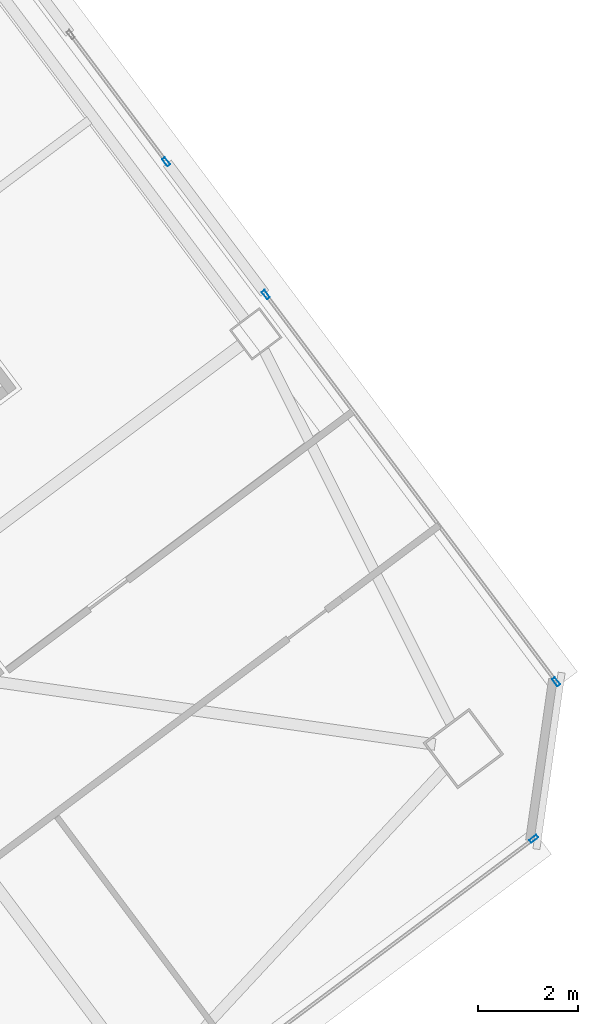
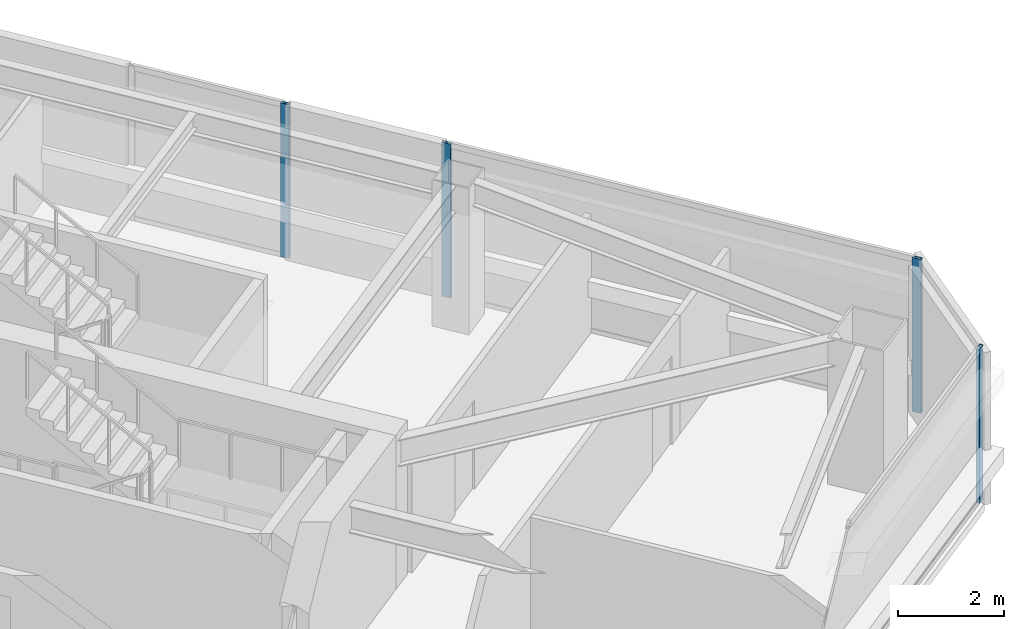
# One storey, part 26 of 43: 4 members, 3 elements without a shape of their own.
"""IFC4 building model written with IfcOpenShell, lengths in metres."""

import ifcopenshell
import ifcopenshell.guid

model = None  # the IFC model being written
_history = None  # IfcOwnerHistory: only IFC2X3 demands one
_inside = {}  # id of a spatial element -> (the spatial element, [elements in it])
_under = {}  # id of a project, library or spatial element -> (it, [spatial elements below it])
_declared = {}  # id of a project -> (the project, [libraries it declares])
_typed = {}  # id of a type object -> (the type object, [elements of that type])
_made_of = {}  # id of a material, layer set ... -> (it, [elements and type objects made of it])


def new_model(schema):
    """Start an empty IFC model of exactly this schema.

    Asked for "IFC4X3", IfcOpenShell would pick the latest addendum, in which some entities
    have other attributes; the version numbers below select the first issue.
    IFC2X3 requires an IfcOwnerHistory on every rooted entity: one is made here for all.
    """
    global model, _history
    if schema == "IFC4X3":
        model = ifcopenshell.file(schema_version=(4, 3, 0, 0))
    else:
        model = ifcopenshell.file(schema=schema)
    _inside.clear()
    _under.clear()
    _declared.clear()
    _typed.clear()
    _made_of.clear()
    _history = None
    if model.schema == "IFC2X3":
        org = make("IfcOrganization", Name="unknown")
        user = make(
            "IfcPersonAndOrganization",
            ThePerson=make("IfcPerson", FamilyName="unknown"),
            TheOrganization=org,
        )
        app = make(
            "IfcApplication",
            ApplicationDeveloper=org,
            Version="unknown",
            ApplicationFullName="unknown",
            ApplicationIdentifier="unknown",
        )
        _history = make(
            "IfcOwnerHistory",
            OwningUser=user,
            OwningApplication=app,
            ChangeAction="ADDED",
            CreationDate=0,
        )
    return model


def make(cls, **values):
    """One entity of the class cls with the attributes given. An attribute that is None is left unset."""
    return model.create_entity(
        cls, **{name: value for name, value in values.items() if value is not None}
    )


def rooted(cls, **values):
    """An entity with a GlobalId (a new one), such as an element, a storey or a relation."""
    return make(cls, GlobalId=ifcopenshell.guid.new(), OwnerHistory=_history, **values)


def si_unit(unit_type, name, prefix=None):
    """IfcSIUnit, for example si_unit("LENGTHUNIT", "METRE", prefix="MILLI")."""
    return make("IfcSIUnit", UnitType=unit_type, Prefix=prefix, Name=name)


def assignment(units):
    """IfcUnitAssignment: the units of a project."""
    return None if units is None else make("IfcUnitAssignment", Units=units)


def point(xyz):
    """IfcCartesianPoint."""
    return None if xyz is None else make("IfcCartesianPoint", Coordinates=xyz)


def direction(xyz):
    """IfcDirection."""
    return None if xyz is None else make("IfcDirection", DirectionRatios=xyz)


def frame(location, z_axis=None, x_axis=None):
    """IfcAxis2Placement3D, a coordinate frame: its origin and axes. An axis left out is left unset."""
    return make(
        "IfcAxis2Placement3D",
        Location=point(location),
        Axis=direction(z_axis),
        RefDirection=direction(x_axis),
    )


def frame_2d(location, x_axis=None):
    """IfcAxis2Placement2D, a coordinate frame in the plane: its origin and x axis."""
    return make(
        "IfcAxis2Placement2D", Location=point(location), RefDirection=direction(x_axis)
    )


def origin():
    """The frame at (0, 0, 0) with its axes left unset."""
    return frame((0.0, 0.0, 0.0))


def origin_2d():
    """The frame at (0, 0) in the plane with its x axis left unset."""
    return frame_2d((0.0, 0.0))


def place(relative_to, where):
    """IfcLocalPlacement: puts the frame where relative to a parent placement (None: the world)."""
    return make(
        "IfcLocalPlacement", PlacementRelTo=relative_to, RelativePlacement=where
    )


def context(
    kind, dimensions, precision=None, world=None, true_north=None, identifier=None
):
    """IfcGeometricRepresentationContext, for example the 3D "Model" context."""
    return make(
        "IfcGeometricRepresentationContext",
        ContextIdentifier=identifier,
        ContextType=kind,
        CoordinateSpaceDimension=dimensions,
        Precision=precision,
        WorldCoordinateSystem=world,
        TrueNorth=true_north,
    )


def subcontext(parent, identifier, kind, view, scale=None):
    """IfcGeometricRepresentationSubContext, for example "Body" below "Model"."""
    return make(
        "IfcGeometricRepresentationSubContext",
        ContextIdentifier=identifier,
        ContextType=kind,
        ParentContext=parent,
        TargetScale=scale,
        TargetView=view,
    )


def project(units=None, contexts=None):
    """IfcProject with its units and contexts."""
    return rooted(
        "IfcProject",
        Name="project",
        RepresentationContexts=contexts,
        UnitsInContext=assignment(units),
    )


def spatial(cls, under=None, at=None, **own):
    """A site, building, storey or space (cls), placed at a placement, below another one or the project."""
    s = rooted(cls, ObjectPlacement=at, **own)
    if under is not None:
        _under.setdefault(under.id(), (under, []))[1].append(s)
    return s


def profile(cls, at=None, kind="AREA", **sizes):
    """A parametric profile (cls). Its sizes go by their IFC names, for example OverallWidth=200.0."""
    return make(cls, ProfileType=kind, Position=at, **sizes)


def hollow_rectangle(**sizes):
    """IfcRectangleHollowProfileDef."""
    return profile("IfcRectangleHollowProfileDef", **sizes)


def extrude(swept, where, along, depth):
    """IfcExtrudedAreaSolid: the profile swept, set in the frame where, extruded along a direction by depth."""
    return make(
        "IfcExtrudedAreaSolid",
        SweptArea=swept,
        Position=where,
        ExtrudedDirection=direction(along),
        Depth=depth,
    )


def shape(context_of_items, identifier, shape_type, items):
    """IfcShapeRepresentation: the items that make up one representation, for example the "Body"."""
    return make(
        "IfcShapeRepresentation",
        ContextOfItems=context_of_items,
        RepresentationIdentifier=identifier,
        RepresentationType=shape_type,
        Items=items,
    )


def material(Name=None, Category=None):
    """IfcMaterial."""
    return make("IfcMaterial", Name=Name, Category=Category)


def material_profile(
    of_material, cross_section, Name=None, Category=None, Priority=None
):
    """IfcMaterialProfile: a cross section and its material."""
    return make(
        "IfcMaterialProfile",
        Name=Name,
        Material=of_material,
        Profile=cross_section,
        Priority=Priority,
        Category=Category,
    )


def profile_set(profiles, Name=None, composite=None):
    """IfcMaterialProfileSet."""
    return make(
        "IfcMaterialProfileSet",
        Name=Name,
        MaterialProfiles=profiles,
        CompositeProfile=composite,
    )


def made_of(thing, what):
    """Note that an element or type object is made of a material, layer set ...; save() writes the relation."""
    if what is not None:
        _made_of.setdefault(what.id(), (what, []))[1].append(thing)
    return thing


def type_object(cls, material=None, **own):
    """A type object (cls), such as IfcWallType, which elements share."""
    return made_of(rooted(cls, **own), material)


def element(
    cls,
    number,
    at=None,
    inside=None,
    cuts=None,
    type_object=None,
    material=None,
    context=None,
    identifier="Body",
    shape_type=None,
    held_by="IfcProductDefinitionShape",
    body=None,
    shapes=None,
    **own,
):
    """One element of the class cls, such as IfcWall. Its Tag is "e" and its number.

    at: its placement. inside: the storey or other place that contains it. cuts: it is an
    opening in that element (IfcRelVoidsElement). A single representation is given by context,
    identifier, shape_type and body (its items); several are given by shapes. held_by: the class
    of the entity that holds the representations. save() writes the other relations.
    """
    e = rooted(cls, Tag="e%d" % number, ObjectPlacement=at, **own)
    if body is not None:
        shapes = [shape(context, identifier, shape_type, body)]
    if shapes is not None:
        e.Representation = make(held_by, Representations=shapes)
    if inside is not None:
        _inside.setdefault(inside.id(), (inside, []))[1].append(e)
    if cuts is not None:
        rooted(
            "IfcRelVoidsElement", RelatingBuildingElement=cuts, RelatedOpeningElement=e
        )
    if type_object is not None:
        _typed.setdefault(type_object.id(), (type_object, []))[1].append(e)
    return made_of(e, material)


def aggregate(whole, parts):
    """IfcRelAggregates: a whole, such as a stair, and the parts it consists of."""
    return rooted("IfcRelAggregates", RelatingObject=whole, RelatedObjects=parts)


def save(model, path):
    """Write the relations noted so far, then the file.

    IfcRelAggregates (storeys below a building ...), IfcRelContainedInSpatialStructure (elements
    in a storey), IfcRelDefinesByType, IfcRelAssociatesMaterial and IfcRelDeclares: one each for
    every whole, place, type object, material and project.
    """
    for whole, parts in _under.values():
        aggregate(whole, parts)
    for where, things in _inside.values():
        rooted(
            "IfcRelContainedInSpatialStructure",
            RelatedElements=things,
            RelatingStructure=where,
        )
    for kind, things in _typed.values():
        rooted("IfcRelDefinesByType", RelatedObjects=things, RelatingType=kind)
    for what, things in _made_of.values():
        rooted("IfcRelAssociatesMaterial", RelatedObjects=things, RelatingMaterial=what)
    for by, libraries in _declared.values():
        rooted("IfcRelDeclares", RelatingContext=by, RelatedDefinitions=libraries)
    model.write(path)


model = new_model("IFC4")

# Units and contexts
model_context = context("Model", 3, precision=1e-05, world=origin(), true_north=direction((0.0, 1.0)))
body_context = subcontext(model_context, "Body", "Model", "MODEL_VIEW")
ifc_project = project(units=[si_unit("LENGTHUNIT", "METRE"), si_unit("AREAUNIT", "SQUARE_METRE"), si_unit("VOLUMEUNIT", "CUBIC_METRE"), si_unit("PLANEANGLEUNIT", "RADIAN"), si_unit("MASSUNIT", "GRAM", prefix="KILO")], contexts=[model_context])

# Site, building, storey
site_placement = place(None, origin())
site = spatial("IfcSite", under=ifc_project, at=site_placement, CompositionType="ELEMENT")
building_placement = place(site_placement, origin())
building = spatial("IfcBuilding", under=site, at=building_placement, Name="Tashvorn Skyway Center", CompositionType="ELEMENT")
storey_placement = place(building_placement, frame((0.0, 0.0, 188.949951171875)))
storey = spatial("IfcBuildingStorey", under=building, at=storey_placement, Name="L51", CompositionType="ELEMENT", Elevation=188.949951171875)

# Curtain wall, member
ifc_material = material(Name="Thermally broken bronze-anodized aluminium 6063-T6", Category="aluminium")
curtain_wall_type = type_object("IfcCurtainWallType", Name="CW-CW-Z4", PredefinedType="NOTDEFINED", material=ifc_material)
curtain_wall_1_placement = place(storey_placement, origin())
curtain_wall_1 = element("IfcCurtainWall", 1, at=curtain_wall_1_placement, inside=storey, type_object=curtain_wall_type, Name="Tower 2 L51 South Unitised Curtain Wall Glazing Group 1", PredefinedType="NOTDEFINED")
ifc_material_profile = material_profile(ifc_material, hollow_rectangle(XDim=0.070068359375, YDim=0.179931640625, WallThickness=0.00390625, at=origin_2d()), Name="ALU-MULL-70x180")
ifc_profile_set = profile_set([ifc_material_profile], Name="Thermally broken bronze-anodized aluminium 6063-T6")
member_type = type_object("IfcMemberType", Name="CWM-CW-Z4", PredefinedType="MULLION", material=ifc_profile_set)
member_1_placement = place(storey_placement, frame((135.7041015625, 27.302978515625, 0.0), z_axis=(0.0, 0.0, 1.0), x_axis=(0.600000000002, -0.799999999998, 0.0)))
member_1 = element("IfcMember", 2, at=member_1_placement, type_object=member_type, Name="CW-Z4 mullion 1", PredefinedType="MULLION", context=body_context, shape_type="SweptSolid", body=[
    extrude(hollow_rectangle(XDim=0.070068359375, YDim=0.179931640625, WallThickness=0.00390625, at=origin_2d()), origin(), (0.0, 0.0, 1.0), 3.550048828125),
])
aggregate(curtain_wall_1, [member_1])

curtain_wall_2_placement = place(storey_placement, origin())
curtain_wall_2 = element("IfcCurtainWall", 3, at=curtain_wall_2_placement, inside=storey, type_object=curtain_wall_type, Name="Tower 2 L51 East Unitised Curtain Wall Glazing Group 2", PredefinedType="NOTDEFINED")
member_2_placement = place(storey_placement, frame((128.375, 40.800048828125, 0.0), z_axis=(0.0, 0.0, 1.0), x_axis=(0.799999999998, 0.600000000002, 0.0)))
member_2 = element("IfcMember", 4, at=member_2_placement, type_object=member_type, Name="CW-Z4 mullion 2", PredefinedType="MULLION", context=body_context, shape_type="SweptSolid", body=[
    extrude(hollow_rectangle(XDim=0.070068359375, YDim=0.179931640625, WallThickness=0.00390625, at=origin_2d()), origin(), (0.0, 0.0, 1.0), 3.550048828125),
])
aggregate(curtain_wall_2, [member_2])

# Curtain wall, members
curtain_wall_3_placement = place(storey_placement, origin())
curtain_wall_3 = element("IfcCurtainWall", 5, at=curtain_wall_3_placement, inside=storey, type_object=curtain_wall_type, Name="Tower 2 L51 East Unitised Curtain Wall Glazing Group 3", PredefinedType="NOTDEFINED")
member_3_placement = place(storey_placement, frame((130.361083984375, 38.152099609375, 0.0), z_axis=(0.0, 0.0, 1.0), x_axis=(0.799999999998, 0.600000000002, 0.0)))
member_3 = element("IfcMember", 6, at=member_3_placement, type_object=member_type, Name="CW-Z4 mullion 1", PredefinedType="MULLION", context=body_context, shape_type="SweptSolid", body=[
    extrude(hollow_rectangle(XDim=0.070068359375, YDim=0.179931640625, WallThickness=0.00390625, at=origin_2d()), origin(), (0.0, 0.0, 1.0), 3.550048828125),
])
member_4_placement = place(storey_placement, frame((136.15087890625, 30.431884765625, 0.0), z_axis=(0.0, 0.0, 1.0), x_axis=(0.799999999998, 0.600000000002, 0.0)))
member_4 = element("IfcMember", 7, at=member_4_placement, type_object=member_type, Name="CW-Z4 mullion 2", PredefinedType="MULLION", context=body_context, shape_type="SweptSolid", body=[
    extrude(hollow_rectangle(XDim=0.070068359375, YDim=0.179931640625, WallThickness=0.00390625, at=origin_2d()), origin(), (0.0, 0.0, 1.0), 3.550048828125),
])
aggregate(curtain_wall_3, [member_3, member_4])

save(model, "model.ifc")
